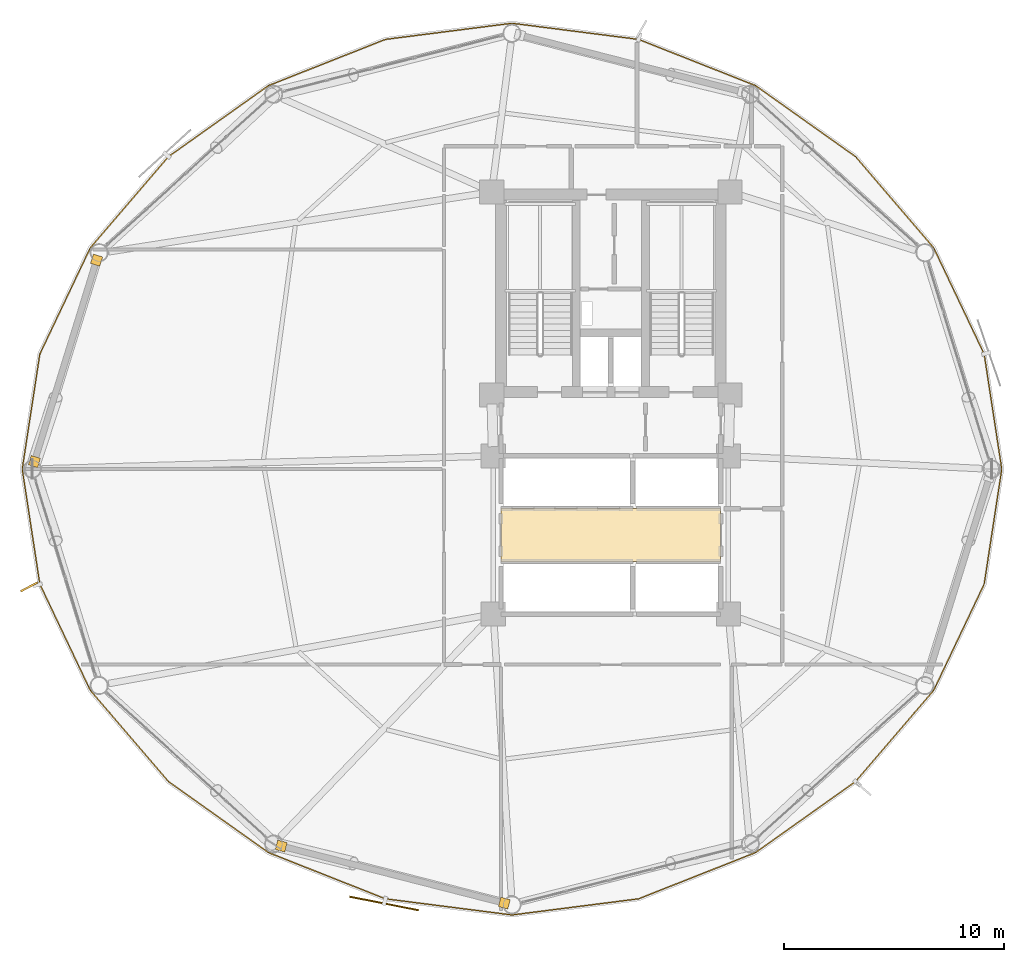
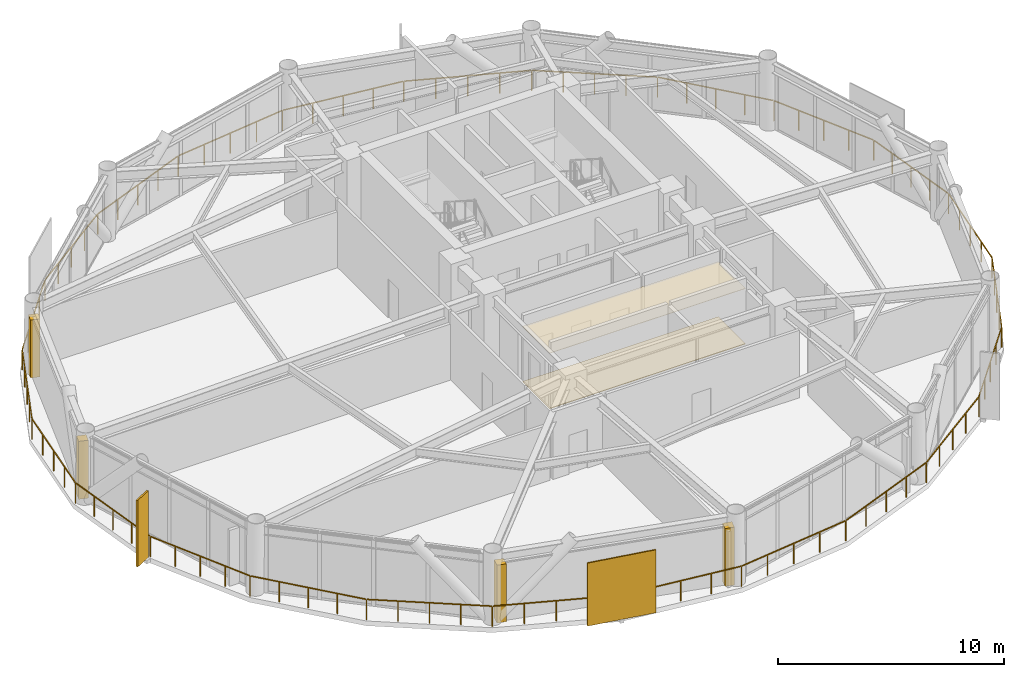
# One storey, part 24 of 26: 6 coverings, 2 shading devices, 1 railing.
"""IFC4 building model written with IfcOpenShell, lengths in metres."""

from ifc_helpers import new_model, si_unit, direction, frame, origin, origin_2d, place, context, subcontext, project, spatial, polyline, rectangle, outline, extrude, source, transform, mapped, material, layer, layer_set, type_object, type_shapes, element, save


model = new_model("IFC4")

# Units and contexts
model_context = context("Model", 3, precision=1e-05, world=origin(), true_north=direction((0.0, 1.0)))
body_context = subcontext(model_context, "Body", "Model", "MODEL_VIEW")
ifc_project = project(units=[si_unit("LENGTHUNIT", "METRE"), si_unit("AREAUNIT", "SQUARE_METRE"), si_unit("VOLUMEUNIT", "CUBIC_METRE"), si_unit("PLANEANGLEUNIT", "RADIAN"), si_unit("MASSUNIT", "GRAM", prefix="KILO")], contexts=[model_context])

# Site, building, storey
site_placement = place(None, origin())
site = spatial("IfcSite", under=ifc_project, at=site_placement, CompositionType="ELEMENT")
building_placement = place(site_placement, origin())
building = spatial("IfcBuilding", under=site, at=building_placement, Name="Varnakorn Sky Granary", CompositionType="ELEMENT")
storey_placement = place(building_placement, frame((0.0, 0.0, 87.60009765625)))
storey = spatial("IfcBuildingStorey", under=building, at=storey_placement, Name="L21", CompositionType="ELEMENT", Elevation=87.60009765625)

# Coverings
ifc_material_1 = material(Name="Perforated Acoustic Mineral-Fibre Ceiling", Category="gypsum")
ifc_layer_1 = layer(ifc_material_1, 0.02001953125, Name="Perforated Acoustic Mineral-Fibre Ceiling")
ifc_layer_set_1 = layer_set([ifc_layer_1], Name="Perforated Acoustic Mineral-Fibre Ceiling")
covering_type_1 = type_object("IfcCoveringType", Name="CV-CEIL-20", PredefinedType="CEILING", material=ifc_layer_set_1)
covering_1_placement = place(storey_placement, frame((0.0, 0.0, 2.989990234375)))
element("IfcCovering", 1, at=covering_1_placement, inside=storey, type_object=covering_type_1, Name="Lift Lobby Perforated Acoustic Ceiling L21", PredefinedType="CEILING", context=body_context, shape_type="SweptSolid", body=[
    extrude(outline(polyline([(-2.0, -4.199951171875), (8.0, -4.199951171875), (8.0, -1.800048828125), (-2.0, -1.800048828125), (-2.0, -4.199951171875)])), origin(), (0.0, 0.0, 1.0), 0.02001953125),
])
ifc_material_2 = material(Name="Honed Epoxy Terrazzo Topping", Category="concrete")
ifc_layer_2 = layer(ifc_material_2, 0.030029296875, Name="Honed Epoxy Terrazzo Topping")
ifc_layer_set_2 = layer_set([ifc_layer_2], Name="Honed Epoxy Terrazzo Topping")
covering_type_2 = type_object("IfcCoveringType", Name="CV-FLOR-30", PredefinedType="FLOORING", material=ifc_layer_set_2)
covering_2_placement = place(storey_placement, origin())
element("IfcCovering", 2, at=covering_2_placement, inside=storey, type_object=covering_type_2, Name="Lift Lobby Terrazzo Floor Finish L21", PredefinedType="FLOORING", context=body_context, shape_type="SweptSolid", body=[
    extrude(outline(polyline([(-2.0, -4.199951171875), (8.0, -4.199951171875), (8.0, -1.800048828125), (-2.0, -1.800048828125), (-2.0, -4.199951171875)])), origin(), (0.0, 0.0, 1.0), 0.02978515625),
])

# Railing
ifc_material_3 = material(Name="Anodised Bronze Aluminium Alloy 6063-T6", Category="aluminium")
railing_type = type_object("IfcRailingType", Name="RL-BAL-1120", PredefinedType="BALUSTRADE", material=ifc_material_3)
railing_placement = place(storey_placement, frame((20.798828125, 0.0, 0.0)))
element("IfcRailing", 3, at=railing_placement, inside=storey, type_object=railing_type, Name="Perimeter Slab-Edge Safety Guard L21", PredefinedType="BALUSTRADE", context=body_context, shape_type="SweptSolid", body=[
    extrude(rectangle(XDim=0.048095703125, YDim=0.048095703125, at=origin_2d()), frame((-0.004150390625, -0.027587890625, 1.09619140625), z_axis=(-0.151378647596, -0.988475849504, 0.0), x_axis=(0.988475849504, -0.151378647596, 0.0)), (0.0, 0.0, 1.0), 5.24365234375),
    extrude(rectangle(XDim=0.048095703125, YDim=0.048095703125, at=origin_2d()), frame((-0.814208984375, -5.263916015625, 1.09619140625), z_axis=(-0.429149768571, -0.903233345341, 0.0), x_axis=(0.903233345341, -0.429149768571, 0.0)), (0.0, 0.0, 1.0), 5.30126953125),
    extrude(rectangle(XDim=0.048095703125, YDim=0.048095703125, at=origin_2d()), frame((-3.11962890625, -10.0986328125, 1.09619140625), z_axis=(-0.650765598624, -0.75927869432, 0.0), x_axis=(0.75927869432, -0.650765598624, 0.0)), (0.0, 0.0, 1.0), 5.404541015625),
    extrude(rectangle(XDim=0.048095703125, YDim=0.048095703125, at=origin_2d()), frame((-6.677734375, -14.239501953125, 1.09619140625), z_axis=(-0.81532033294, -0.57901015077, 0.0), x_axis=(0.57901015077, -0.81532033294, 0.0)), (0.0, 0.0, 1.0), 5.536376953125),
    extrude(rectangle(XDim=0.048095703125, YDim=0.048095703125, at=origin_2d()), frame((-11.240478515625, -17.4716796875, 1.09619140625), z_axis=(-0.930106144682, -0.367290837928, 0.0), x_axis=(0.367290837928, -0.930106144682, 0.0)), (0.0, 0.0, 1.0), 5.667724609375),
    extrude(rectangle(XDim=0.048095703125, YDim=0.048095703125, at=origin_2d()), frame((-16.56591796875, -19.5673828125, 1.09619140625), z_axis=(-0.991945846772, -0.126662690131, 0.0), x_axis=(0.126662690131, -0.991945846772, 0.0)), (0.0, 0.0, 1.0), 5.75146484375),
    extrude(rectangle(XDim=0.048095703125, YDim=0.048095703125, at=origin_2d()), frame((-22.32666015625, -20.295654296875, 1.09619140625), z_axis=(-0.991945846772, 0.126662690131, 0.0), x_axis=(-0.126662690131, -0.991945846772, 0.0)), (0.0, 0.0, 1.0), 5.75146484375),
    extrude(rectangle(XDim=0.048095703125, YDim=0.048095703125, at=origin_2d()), frame((-28.085693359375, -19.553466796875, 1.09619140625), z_axis=(-0.930106144682, 0.367290837928, 0.0), x_axis=(-0.367290837928, -0.930106144682, 0.0)), (0.0, 0.0, 1.0), 5.667724609375),
    extrude(rectangle(XDim=0.048095703125, YDim=0.048095703125, at=origin_2d()), frame((-33.40625, -17.4453125, 1.09619140625), z_axis=(-0.81532033294, 0.57901015077, 0.0), x_axis=(-0.57901015077, -0.81532033294, 0.0)), (0.0, 0.0, 1.0), 5.536376953125),
    extrude(rectangle(XDim=0.048095703125, YDim=0.048095703125, at=origin_2d()), frame((-37.961181640625, -14.2021484375, 1.09619140625), z_axis=(-0.650765598624, 0.75927869432, 0.0), x_axis=(-0.75927869432, -0.650765598624, 0.0)), (0.0, 0.0, 1.0), 5.404541015625),
    extrude(rectangle(XDim=0.048095703125, YDim=0.048095703125, at=origin_2d()), frame((-41.50830078125, -10.052001953125, 1.09619140625), z_axis=(-0.429149768571, 0.903233345341, 0.0), x_axis=(-0.903233345341, -0.429149768571, 0.0)), (0.0, 0.0, 1.0), 5.30126953125),
    extrude(rectangle(XDim=0.048095703125, YDim=0.048095703125, at=origin_2d()), frame((-43.799560546875, -5.2109375, 1.09619140625), z_axis=(-0.151378647596, 0.988475849504, 0.0), x_axis=(-0.988475849504, -0.151378647596, 0.0)), (0.0, 0.0, 1.0), 5.24365234375),
    extrude(rectangle(XDim=0.048095703125, YDim=0.048095703125, at=origin_2d()), frame((-44.593505859375, 0.027587890625, 1.09619140625), z_axis=(0.151378647596, 0.988475849504, 0.0), x_axis=(-0.988475849504, 0.151378647596, 0.0)), (0.0, 0.0, 1.0), 5.24365234375),
    extrude(rectangle(XDim=0.048095703125, YDim=0.048095703125, at=origin_2d()), frame((-43.783447265625, 5.263916015625, 1.09619140625), z_axis=(0.429149768571, 0.903233345341, 0.0), x_axis=(-0.903233345341, 0.429149768571, 0.0)), (0.0, 0.0, 1.0), 5.30126953125),
    extrude(rectangle(XDim=0.048095703125, YDim=0.048095703125, at=origin_2d()), frame((-41.47802734375, 10.0986328125, 1.09619140625), z_axis=(0.650765598624, 0.75927869432, 0.0), x_axis=(-0.75927869432, 0.650765598624, 0.0)), (0.0, 0.0, 1.0), 5.404541015625),
    extrude(rectangle(XDim=0.048095703125, YDim=0.048095703125, at=origin_2d()), frame((-37.919921875, 14.239501953125, 1.09619140625), z_axis=(0.81532033294, 0.57901015077, 0.0), x_axis=(-0.57901015077, 0.81532033294, 0.0)), (0.0, 0.0, 1.0), 5.536376953125),
    extrude(rectangle(XDim=0.048095703125, YDim=0.048095703125, at=origin_2d()), frame((-33.357177734375, 17.4716796875, 1.09619140625), z_axis=(0.930106144682, 0.367290837928, 0.0), x_axis=(-0.367290837928, 0.930106144682, 0.0)), (0.0, 0.0, 1.0), 5.667724609375),
    extrude(rectangle(XDim=0.048095703125, YDim=0.048095703125, at=origin_2d()), frame((-28.03173828125, 19.5673828125, 1.09619140625), z_axis=(0.991945846772, 0.126662690131, 0.0), x_axis=(-0.126662690131, 0.991945846772, 0.0)), (0.0, 0.0, 1.0), 5.75146484375),
    extrude(rectangle(XDim=0.048095703125, YDim=0.048095703125, at=origin_2d()), frame((-22.27099609375, 20.295654296875, 1.09619140625), z_axis=(0.991945846772, -0.126662690131, 0.0), x_axis=(0.126662690131, 0.991945846772, 0.0)), (0.0, 0.0, 1.0), 5.75146484375),
    extrude(rectangle(XDim=0.048095703125, YDim=0.048095703125, at=origin_2d()), frame((-16.511962890625, 19.553466796875, 1.09619140625), z_axis=(0.930106144682, -0.367290837928, 0.0), x_axis=(0.367290837928, 0.930106144682, 0.0)), (0.0, 0.0, 1.0), 5.667724609375),
    extrude(rectangle(XDim=0.048095703125, YDim=0.048095703125, at=origin_2d()), frame((-11.19140625, 17.4453125, 1.09619140625), z_axis=(0.81532033294, -0.57901015077, 0.0), x_axis=(0.57901015077, 0.81532033294, 0.0)), (0.0, 0.0, 1.0), 5.536376953125),
    extrude(rectangle(XDim=0.048095703125, YDim=0.048095703125, at=origin_2d()), frame((-6.636474609375, 14.2021484375, 1.09619140625), z_axis=(0.650765598624, -0.75927869432, 0.0), x_axis=(0.75927869432, 0.650765598624, 0.0)), (0.0, 0.0, 1.0), 5.404541015625),
    extrude(rectangle(XDim=0.048095703125, YDim=0.048095703125, at=origin_2d()), frame((-3.08935546875, 10.052001953125, 1.09619140625), z_axis=(0.429149768571, -0.903233345341, 0.0), x_axis=(0.903233345341, 0.429149768571, 0.0)), (0.0, 0.0, 1.0), 5.30126953125),
    extrude(rectangle(XDim=0.048095703125, YDim=0.048095703125, at=origin_2d()), frame((-0.798095703125, 5.2109375, 1.09619140625), z_axis=(0.151378647596, -0.988475849504, 0.0), x_axis=(0.988475849504, 0.151378647596, 0.0)), (0.0, 0.0, 1.0), 5.24365234375),
    extrude(rectangle(XDim=0.0419921875, YDim=0.0419921875, at=origin_2d()), origin(), (0.0, 0.0, 1.0), 1.068115234375),
    extrude(rectangle(XDim=0.0419921875, YDim=0.0419921875, at=origin_2d()), frame((-0.20068359375, -1.3095703125, 0.0)), (0.0, 0.0, 1.0), 1.068115234375),
    extrude(rectangle(XDim=0.0419921875, YDim=0.0419921875, at=origin_2d()), frame((-0.401123046875, -2.619140625, 0.0)), (0.0, 0.0, 1.0), 1.068115234375),
    extrude(rectangle(XDim=0.0419921875, YDim=0.0419921875, at=origin_2d()), frame((-0.6015625, -3.928955078125, 0.0)), (0.0, 0.0, 1.0), 1.068115234375),
    extrude(rectangle(XDim=0.0419921875, YDim=0.0419921875, at=origin_2d()), frame((-0.80224609375, -5.238525390625, 0.0)), (0.0, 0.0, 1.0), 1.068115234375),
    extrude(rectangle(XDim=0.0419921875, YDim=0.0419921875, at=origin_2d()), frame((-1.376953125, -6.4482421875, 0.0)), (0.0, 0.0, 1.0), 1.068115234375),
    extrude(rectangle(XDim=0.0419921875, YDim=0.0419921875, at=origin_2d()), frame((-1.95166015625, -7.657958984375, 0.0)), (0.0, 0.0, 1.0), 1.068115234375),
    extrude(rectangle(XDim=0.0419921875, YDim=0.0419921875, at=origin_2d()), frame((-2.526611328125, -8.86767578125, 0.0)), (0.0, 0.0, 1.0), 1.068115234375),
    extrude(rectangle(XDim=0.0419921875, YDim=0.0419921875, at=origin_2d()), frame((-3.101318359375, -10.077392578125, 0.0)), (0.0, 0.0, 1.0), 1.068115234375),
    extrude(rectangle(XDim=0.0419921875, YDim=0.0419921875, at=origin_2d()), frame((-3.98974609375, -11.11376953125, 0.0)), (0.0, 0.0, 1.0), 1.068115234375),
    extrude(rectangle(XDim=0.0419921875, YDim=0.0419921875, at=origin_2d()), frame((-4.8779296875, -12.150390625, 0.0)), (0.0, 0.0, 1.0), 1.068115234375),
    extrude(rectangle(XDim=0.0419921875, YDim=0.0419921875, at=origin_2d()), frame((-5.766357421875, -13.18701171875, 0.0)), (0.0, 0.0, 1.0), 1.068115234375),
    extrude(rectangle(XDim=0.0419921875, YDim=0.0419921875, at=origin_2d()), frame((-6.65478515625, -14.223388671875, 0.0)), (0.0, 0.0, 1.0), 1.068115234375),
    extrude(rectangle(XDim=0.0419921875, YDim=0.0419921875, at=origin_2d()), frame((-7.794677734375, -15.032958984375, 0.0)), (0.0, 0.0, 1.0), 1.068115234375),
    extrude(rectangle(XDim=0.0419921875, YDim=0.0419921875, at=origin_2d()), frame((-8.9345703125, -15.84228515625, 0.0)), (0.0, 0.0, 1.0), 1.068115234375),
    extrude(rectangle(XDim=0.0419921875, YDim=0.0419921875, at=origin_2d()), frame((-10.074462890625, -16.65185546875, 0.0)), (0.0, 0.0, 1.0), 1.068115234375),
    extrude(rectangle(XDim=0.0419921875, YDim=0.0419921875, at=origin_2d()), frame((-11.21435546875, -17.46142578125, 0.0)), (0.0, 0.0, 1.0), 1.068115234375),
    extrude(rectangle(XDim=0.0419921875, YDim=0.0419921875, at=origin_2d()), frame((-12.54541015625, -17.987060546875, 0.0)), (0.0, 0.0, 1.0), 1.068115234375),
    extrude(rectangle(XDim=0.0419921875, YDim=0.0419921875, at=origin_2d()), frame((-13.876220703125, -18.5126953125, 0.0)), (0.0, 0.0, 1.0), 1.068115234375),
    extrude(rectangle(XDim=0.0419921875, YDim=0.0419921875, at=origin_2d()), frame((-15.20703125, -19.0380859375, 0.0)), (0.0, 0.0, 1.0), 1.068115234375),
    extrude(rectangle(XDim=0.0419921875, YDim=0.0419921875, at=origin_2d()), frame((-16.5380859375, -19.563720703125, 0.0)), (0.0, 0.0, 1.0), 1.068115234375),
    extrude(rectangle(XDim=0.0419921875, YDim=0.0419921875, at=origin_2d()), frame((-17.978271484375, -19.74755859375, 0.0)), (0.0, 0.0, 1.0), 1.068115234375),
    extrude(rectangle(XDim=0.0419921875, YDim=0.0419921875, at=origin_2d()), frame((-19.41845703125, -19.931640625, 0.0)), (0.0, 0.0, 1.0), 1.068115234375),
    extrude(rectangle(XDim=0.0419921875, YDim=0.0419921875, at=origin_2d()), frame((-20.858642578125, -20.115478515625, 0.0)), (0.0, 0.0, 1.0), 1.068115234375),
    extrude(rectangle(XDim=0.0419921875, YDim=0.0419921875, at=origin_2d()), frame((-22.298828125, -20.29931640625, 0.0)), (0.0, 0.0, 1.0), 1.068115234375),
    extrude(rectangle(XDim=0.0419921875, YDim=0.0419921875, at=origin_2d()), frame((-23.739013671875, -20.115478515625, 0.0)), (0.0, 0.0, 1.0), 1.068115234375),
    extrude(rectangle(XDim=0.0419921875, YDim=0.0419921875, at=origin_2d()), frame((-25.17919921875, -19.931640625, 0.0)), (0.0, 0.0, 1.0), 1.068115234375),
    extrude(rectangle(XDim=0.0419921875, YDim=0.0419921875, at=origin_2d()), frame((-26.619384765625, -19.74755859375, 0.0)), (0.0, 0.0, 1.0), 1.068115234375),
    extrude(rectangle(XDim=0.0419921875, YDim=0.0419921875, at=origin_2d()), frame((-28.0595703125, -19.563720703125, 0.0)), (0.0, 0.0, 1.0), 1.068115234375),
    extrude(rectangle(XDim=0.0419921875, YDim=0.0419921875, at=origin_2d()), frame((-29.390625, -19.0380859375, 0.0)), (0.0, 0.0, 1.0), 1.068115234375),
    extrude(rectangle(XDim=0.0419921875, YDim=0.0419921875, at=origin_2d()), frame((-30.721435546875, -18.5126953125, 0.0)), (0.0, 0.0, 1.0), 1.068115234375),
    extrude(rectangle(XDim=0.0419921875, YDim=0.0419921875, at=origin_2d()), frame((-32.05224609375, -17.987060546875, 0.0)), (0.0, 0.0, 1.0), 1.068115234375),
    extrude(rectangle(XDim=0.0419921875, YDim=0.0419921875, at=origin_2d()), frame((-33.38330078125, -17.46142578125, 0.0)), (0.0, 0.0, 1.0), 1.068115234375),
    extrude(rectangle(XDim=0.0419921875, YDim=0.0419921875, at=origin_2d()), frame((-34.523193359375, -16.65185546875, 0.0)), (0.0, 0.0, 1.0), 1.068115234375),
    extrude(rectangle(XDim=0.0419921875, YDim=0.0419921875, at=origin_2d()), frame((-35.6630859375, -15.84228515625, 0.0)), (0.0, 0.0, 1.0), 1.068115234375),
    extrude(rectangle(XDim=0.0419921875, YDim=0.0419921875, at=origin_2d()), frame((-36.802978515625, -15.032958984375, 0.0)), (0.0, 0.0, 1.0), 1.068115234375),
    extrude(rectangle(XDim=0.0419921875, YDim=0.0419921875, at=origin_2d()), frame((-37.94287109375, -14.223388671875, 0.0)), (0.0, 0.0, 1.0), 1.068115234375),
    extrude(rectangle(XDim=0.0419921875, YDim=0.0419921875, at=origin_2d()), frame((-38.831298828125, -13.18701171875, 0.0)), (0.0, 0.0, 1.0), 1.068115234375),
    extrude(rectangle(XDim=0.0419921875, YDim=0.0419921875, at=origin_2d()), frame((-39.7197265625, -12.150390625, 0.0)), (0.0, 0.0, 1.0), 1.068115234375),
    extrude(rectangle(XDim=0.0419921875, YDim=0.0419921875, at=origin_2d()), frame((-40.60791015625, -11.11376953125, 0.0)), (0.0, 0.0, 1.0), 1.068115234375),
    extrude(rectangle(XDim=0.0419921875, YDim=0.0419921875, at=origin_2d()), frame((-41.496337890625, -10.077392578125, 0.0)), (0.0, 0.0, 1.0), 1.068115234375),
    extrude(rectangle(XDim=0.0419921875, YDim=0.0419921875, at=origin_2d()), frame((-42.071044921875, -8.86767578125, 0.0)), (0.0, 0.0, 1.0), 1.068115234375),
    extrude(rectangle(XDim=0.0419921875, YDim=0.0419921875, at=origin_2d()), frame((-42.64599609375, -7.657958984375, 0.0)), (0.0, 0.0, 1.0), 1.068115234375),
    extrude(rectangle(XDim=0.0419921875, YDim=0.0419921875, at=origin_2d()), frame((-43.220703125, -6.4482421875, 0.0)), (0.0, 0.0, 1.0), 1.068115234375),
    extrude(rectangle(XDim=0.0419921875, YDim=0.0419921875, at=origin_2d()), frame((-43.79541015625, -5.238525390625, 0.0)), (0.0, 0.0, 1.0), 1.068115234375),
    extrude(rectangle(XDim=0.0419921875, YDim=0.0419921875, at=origin_2d()), frame((-43.99609375, -3.928955078125, 0.0)), (0.0, 0.0, 1.0), 1.068115234375),
    extrude(rectangle(XDim=0.0419921875, YDim=0.0419921875, at=origin_2d()), frame((-44.196533203125, -2.619140625, 0.0)), (0.0, 0.0, 1.0), 1.068115234375),
    extrude(rectangle(XDim=0.0419921875, YDim=0.0419921875, at=origin_2d()), frame((-44.39697265625, -1.3095703125, 0.0)), (0.0, 0.0, 1.0), 1.068115234375),
    extrude(rectangle(XDim=0.0419921875, YDim=0.0419921875, at=origin_2d()), frame((-44.59765625, 0.0, 0.0)), (0.0, 0.0, 1.0), 1.068115234375),
    extrude(rectangle(XDim=0.0419921875, YDim=0.0419921875, at=origin_2d()), frame((-44.39697265625, 1.3095703125, 0.0)), (0.0, 0.0, 1.0), 1.068115234375),
    extrude(rectangle(XDim=0.0419921875, YDim=0.0419921875, at=origin_2d()), frame((-44.196533203125, 2.619140625, 0.0)), (0.0, 0.0, 1.0), 1.068115234375),
    extrude(rectangle(XDim=0.0419921875, YDim=0.0419921875, at=origin_2d()), frame((-43.99609375, 3.928955078125, 0.0)), (0.0, 0.0, 1.0), 1.068115234375),
    extrude(rectangle(XDim=0.0419921875, YDim=0.0419921875, at=origin_2d()), frame((-43.79541015625, 5.238525390625, 0.0)), (0.0, 0.0, 1.0), 1.068115234375),
    extrude(rectangle(XDim=0.0419921875, YDim=0.0419921875, at=origin_2d()), frame((-43.220703125, 6.4482421875, 0.0)), (0.0, 0.0, 1.0), 1.068115234375),
    extrude(rectangle(XDim=0.0419921875, YDim=0.0419921875, at=origin_2d()), frame((-42.64599609375, 7.657958984375, 0.0)), (0.0, 0.0, 1.0), 1.068115234375),
    extrude(rectangle(XDim=0.0419921875, YDim=0.0419921875, at=origin_2d()), frame((-42.071044921875, 8.86767578125, 0.0)), (0.0, 0.0, 1.0), 1.068115234375),
    extrude(rectangle(XDim=0.0419921875, YDim=0.0419921875, at=origin_2d()), frame((-41.496337890625, 10.077392578125, 0.0)), (0.0, 0.0, 1.0), 1.068115234375),
    extrude(rectangle(XDim=0.0419921875, YDim=0.0419921875, at=origin_2d()), frame((-40.60791015625, 11.11376953125, 0.0)), (0.0, 0.0, 1.0), 1.068115234375),
    extrude(rectangle(XDim=0.0419921875, YDim=0.0419921875, at=origin_2d()), frame((-39.7197265625, 12.150390625, 0.0)), (0.0, 0.0, 1.0), 1.068115234375),
    extrude(rectangle(XDim=0.0419921875, YDim=0.0419921875, at=origin_2d()), frame((-38.831298828125, 13.18701171875, 0.0)), (0.0, 0.0, 1.0), 1.068115234375),
    extrude(rectangle(XDim=0.0419921875, YDim=0.0419921875, at=origin_2d()), frame((-37.94287109375, 14.223388671875, 0.0)), (0.0, 0.0, 1.0), 1.068115234375),
    extrude(rectangle(XDim=0.0419921875, YDim=0.0419921875, at=origin_2d()), frame((-36.802978515625, 15.032958984375, 0.0)), (0.0, 0.0, 1.0), 1.068115234375),
    extrude(rectangle(XDim=0.0419921875, YDim=0.0419921875, at=origin_2d()), frame((-35.6630859375, 15.84228515625, 0.0)), (0.0, 0.0, 1.0), 1.068115234375),
    extrude(rectangle(XDim=0.0419921875, YDim=0.0419921875, at=origin_2d()), frame((-34.523193359375, 16.65185546875, 0.0)), (0.0, 0.0, 1.0), 1.068115234375),
    extrude(rectangle(XDim=0.0419921875, YDim=0.0419921875, at=origin_2d()), frame((-33.38330078125, 17.46142578125, 0.0)), (0.0, 0.0, 1.0), 1.068115234375),
    extrude(rectangle(XDim=0.0419921875, YDim=0.0419921875, at=origin_2d()), frame((-32.05224609375, 17.987060546875, 0.0)), (0.0, 0.0, 1.0), 1.068115234375),
    extrude(rectangle(XDim=0.0419921875, YDim=0.0419921875, at=origin_2d()), frame((-30.721435546875, 18.5126953125, 0.0)), (0.0, 0.0, 1.0), 1.068115234375),
    extrude(rectangle(XDim=0.0419921875, YDim=0.0419921875, at=origin_2d()), frame((-29.390625, 19.0380859375, 0.0)), (0.0, 0.0, 1.0), 1.068115234375),
    extrude(rectangle(XDim=0.0419921875, YDim=0.0419921875, at=origin_2d()), frame((-28.0595703125, 19.563720703125, 0.0)), (0.0, 0.0, 1.0), 1.068115234375),
    extrude(rectangle(XDim=0.0419921875, YDim=0.0419921875, at=origin_2d()), frame((-26.619384765625, 19.74755859375, 0.0)), (0.0, 0.0, 1.0), 1.068115234375),
    extrude(rectangle(XDim=0.0419921875, YDim=0.0419921875, at=origin_2d()), frame((-25.17919921875, 19.931640625, 0.0)), (0.0, 0.0, 1.0), 1.068115234375),
    extrude(rectangle(XDim=0.0419921875, YDim=0.0419921875, at=origin_2d()), frame((-23.739013671875, 20.115478515625, 0.0)), (0.0, 0.0, 1.0), 1.068115234375),
    extrude(rectangle(XDim=0.0419921875, YDim=0.0419921875, at=origin_2d()), frame((-22.298828125, 20.29931640625, 0.0)), (0.0, 0.0, 1.0), 1.068115234375),
    extrude(rectangle(XDim=0.0419921875, YDim=0.0419921875, at=origin_2d()), frame((-20.858642578125, 20.115478515625, 0.0)), (0.0, 0.0, 1.0), 1.068115234375),
    extrude(rectangle(XDim=0.0419921875, YDim=0.0419921875, at=origin_2d()), frame((-19.41845703125, 19.931640625, 0.0)), (0.0, 0.0, 1.0), 1.068115234375),
    extrude(rectangle(XDim=0.0419921875, YDim=0.0419921875, at=origin_2d()), frame((-17.978271484375, 19.74755859375, 0.0)), (0.0, 0.0, 1.0), 1.068115234375),
    extrude(rectangle(XDim=0.0419921875, YDim=0.0419921875, at=origin_2d()), frame((-16.5380859375, 19.563720703125, 0.0)), (0.0, 0.0, 1.0), 1.068115234375),
    extrude(rectangle(XDim=0.0419921875, YDim=0.0419921875, at=origin_2d()), frame((-15.20703125, 19.0380859375, 0.0)), (0.0, 0.0, 1.0), 1.068115234375),
    extrude(rectangle(XDim=0.0419921875, YDim=0.0419921875, at=origin_2d()), frame((-13.876220703125, 18.5126953125, 0.0)), (0.0, 0.0, 1.0), 1.068115234375),
    extrude(rectangle(XDim=0.0419921875, YDim=0.0419921875, at=origin_2d()), frame((-12.54541015625, 17.987060546875, 0.0)), (0.0, 0.0, 1.0), 1.068115234375),
    extrude(rectangle(XDim=0.0419921875, YDim=0.0419921875, at=origin_2d()), frame((-11.21435546875, 17.46142578125, 0.0)), (0.0, 0.0, 1.0), 1.068115234375),
    extrude(rectangle(XDim=0.0419921875, YDim=0.0419921875, at=origin_2d()), frame((-10.074462890625, 16.65185546875, 0.0)), (0.0, 0.0, 1.0), 1.068115234375),
    extrude(rectangle(XDim=0.0419921875, YDim=0.0419921875, at=origin_2d()), frame((-8.9345703125, 15.84228515625, 0.0)), (0.0, 0.0, 1.0), 1.068115234375),
    extrude(rectangle(XDim=0.0419921875, YDim=0.0419921875, at=origin_2d()), frame((-7.794677734375, 15.032958984375, 0.0)), (0.0, 0.0, 1.0), 1.068115234375),
    extrude(rectangle(XDim=0.0419921875, YDim=0.0419921875, at=origin_2d()), frame((-6.65478515625, 14.223388671875, 0.0)), (0.0, 0.0, 1.0), 1.068115234375),
    extrude(rectangle(XDim=0.0419921875, YDim=0.0419921875, at=origin_2d()), frame((-5.766357421875, 13.18701171875, 0.0)), (0.0, 0.0, 1.0), 1.068115234375),
    extrude(rectangle(XDim=0.0419921875, YDim=0.0419921875, at=origin_2d()), frame((-4.8779296875, 12.150390625, 0.0)), (0.0, 0.0, 1.0), 1.068115234375),
    extrude(rectangle(XDim=0.0419921875, YDim=0.0419921875, at=origin_2d()), frame((-3.98974609375, 11.11376953125, 0.0)), (0.0, 0.0, 1.0), 1.068115234375),
    extrude(rectangle(XDim=0.0419921875, YDim=0.0419921875, at=origin_2d()), frame((-3.101318359375, 10.077392578125, 0.0)), (0.0, 0.0, 1.0), 1.068115234375),
    extrude(rectangle(XDim=0.0419921875, YDim=0.0419921875, at=origin_2d()), frame((-2.526611328125, 8.86767578125, 0.0)), (0.0, 0.0, 1.0), 1.068115234375),
    extrude(rectangle(XDim=0.0419921875, YDim=0.0419921875, at=origin_2d()), frame((-1.95166015625, 7.657958984375, 0.0)), (0.0, 0.0, 1.0), 1.068115234375),
    extrude(rectangle(XDim=0.0419921875, YDim=0.0419921875, at=origin_2d()), frame((-1.376953125, 6.4482421875, 0.0)), (0.0, 0.0, 1.0), 1.068115234375),
    extrude(rectangle(XDim=0.0419921875, YDim=0.0419921875, at=origin_2d()), frame((-0.80224609375, 5.238525390625, 0.0)), (0.0, 0.0, 1.0), 1.068115234375),
    extrude(rectangle(XDim=0.0419921875, YDim=0.0419921875, at=origin_2d()), frame((-0.6015625, 3.928955078125, 0.0)), (0.0, 0.0, 1.0), 1.068115234375),
    extrude(rectangle(XDim=0.0419921875, YDim=0.0419921875, at=origin_2d()), frame((-0.401123046875, 2.619140625, 0.0)), (0.0, 0.0, 1.0), 1.068115234375),
    extrude(rectangle(XDim=0.0419921875, YDim=0.0419921875, at=origin_2d()), frame((-0.20068359375, 1.3095703125, 0.0)), (0.0, 0.0, 1.0), 1.068115234375),
])

# Shading devices
shading_device_type_1 = type_object("IfcShadingDeviceType", Name="SH-FIN-01", PredefinedType="USERDEFINED", material=ifc_material_3)
shared_shape_1 = source(origin(), body_context, "Body", "SweptSolid", [
    extrude(rectangle(XDim=0.0849609375, YDim=0.8798828125, at=origin_2d()), origin(), (0.0, 0.0, 1.0), 3.60009765625),
])
type_shapes(shading_device_type_1, [shared_shape_1])
shading_device_1_placement = place(storey_placement, frame((-23.482666015625, -5.3603515625, -0.0400390625), z_axis=(0.0, 0.0, 1.0), x_axis=(0.468053070763, -0.883700358124, 0.0)))
element("IfcShadingDevice", 4, at=shading_device_1_placement, inside=storey, type_object=shading_device_type_1, Name="Bronze Solar-Tracking Vertical Blade FIN L21-07", ObjectType="FIN", PredefinedType="USERDEFINED", context=body_context, shape_type="MappedRepresentation", body=[
    mapped(shared_shape_1, transform((0.0, 0.0, 0.0), x_axis=(1.0, 0.0, 0.0), y_axis=(0.0, 1.0, 0.0), z_axis=(0.0, 0.0, 1.0), scale=1.0)),
])
shading_device_type_2 = type_object("IfcShadingDeviceType", Name="SH-SCR-01", PredefinedType="USERDEFINED", material=ifc_material_3)
shared_shape_2 = source(origin(), body_context, "Body", "SweptSolid", [
    extrude(rectangle(XDim=3.199951171875, YDim=0.06494140625, at=origin_2d()), origin(), (0.0, 0.0, 1.0), 3.39990234375),
])
type_shapes(shading_device_type_2, [shared_shape_2])
shading_device_2_placement = place(storey_placement, frame((-7.322509765625, -19.775634765625, -0.0400390625), z_axis=(0.0, 0.0, 1.0), x_axis=(0.981103823745, -0.193482007001, 0.0)))
element("IfcShadingDevice", 5, at=shading_device_2_placement, inside=storey, type_object=shading_device_type_2, Name="Perforated Bronze Solar Screen Panel SCREEN L21-09", ObjectType="SCREEN", PredefinedType="USERDEFINED", context=body_context, shape_type="MappedRepresentation", body=[
    mapped(shared_shape_2, transform((0.0, 0.0, 0.0), x_axis=(1.0, 0.0, 0.0), y_axis=(0.0, 1.0, 0.0), z_axis=(0.0, 0.0, 1.0), scale=1.0)),
])

# Coverings
ifc_layer_3 = layer(ifc_material_3, 0.050048828125, Name="Anodised Bronze Aluminium Alloy 6063-T6")
ifc_layer_set_3 = layer_set([ifc_layer_3], Name="Anodised Bronze Aluminium Alloy 6063-T6")
covering_type_3 = type_object("IfcCoveringType", Name="CV-CLAD-50", PredefinedType="CLADDING", material=ifc_layer_set_3)
shared_shape_3 = source(origin(), body_context, "Body", "SweptSolid", [
    extrude(rectangle(XDim=0.43994140625, YDim=0.43994140625, at=origin_2d()), origin(), (0.0, 0.0, 1.0), 3.1298828125),
])
type_shapes(covering_type_3, [shared_shape_3])
for number, where, z_axis, x_axis, name in (
    (6, (-23.243408203125, 0.345458984375, -0.02001953125), (0.0, 0.0, 1.0), (0.295041067928, 0.955484572474, 0.0), "Bronze Corner Pilaster Closure L21-P06-A"),
    (7, (-20.412353515625, 9.51220703125, -0.02001953125), (0.0, 0.0, 1.0), (0.295041067928, 0.955484572474, 0.0), "Bronze Corner Pilaster Closure L21-P06-B"),
    (8, (-1.85009765625, -19.760498046875, -0.02001953125), (0.0, 0.0, 1.0), (-0.968843057437, 0.247675453076, 0.0), "Bronze Corner Pilaster Closure L21-P09-A"),
    (9, (-12.00732421875, -17.163330078125, -0.02001953125), (0.0, 0.0, 1.0), (-0.968843057437, 0.247675453076, 0.0), "Bronze Corner Pilaster Closure L21-P09-B"),
):
    element("IfcCovering", number, at=place(storey_placement, frame(where, z_axis=z_axis, x_axis=x_axis)), inside=storey, type_object=covering_type_3, Name=name, PredefinedType="CLADDING", context=body_context, shape_type="MappedRepresentation", body=[
        mapped(shared_shape_3, transform((0.0, 0.0, 0.0), x_axis=(1.0, 0.0, 0.0), y_axis=(0.0, 1.0, 0.0), z_axis=(0.0, 0.0, 1.0), scale=1.0)),
    ])

save(model, "model.ifc")
